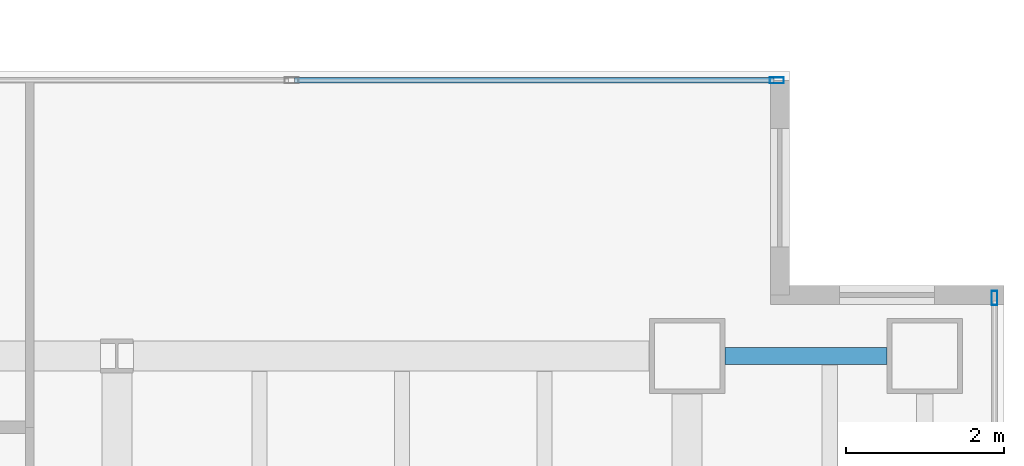
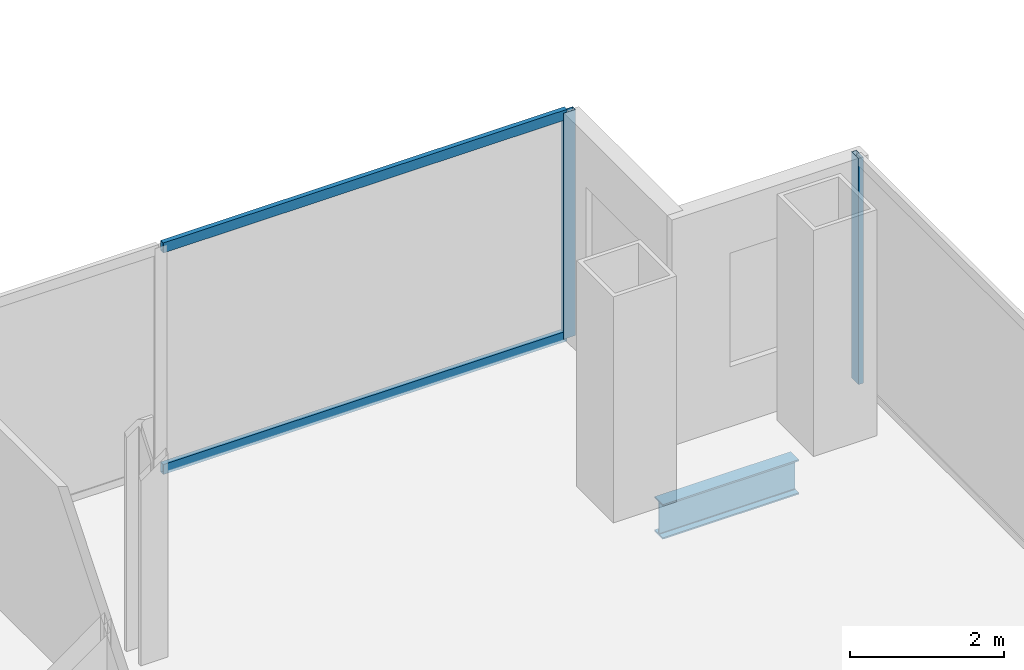
# One storey, part 15 of 23: 4 members, 1 beam, 2 elements without a shape of their own.
"""IFC4 building model written with IfcOpenShell, lengths in metres."""

import ifcopenshell
import ifcopenshell.guid

model = None  # the IFC model being written
_history = None  # IfcOwnerHistory: only IFC2X3 demands one
_inside = {}  # id of a spatial element -> (the spatial element, [elements in it])
_under = {}  # id of a project, library or spatial element -> (it, [spatial elements below it])
_declared = {}  # id of a project -> (the project, [libraries it declares])
_typed = {}  # id of a type object -> (the type object, [elements of that type])
_made_of = {}  # id of a material, layer set ... -> (it, [elements and type objects made of it])


def new_model(schema):
    """Start an empty IFC model of exactly this schema.

    Asked for "IFC4X3", IfcOpenShell would pick the latest addendum, in which some entities
    have other attributes; the version numbers below select the first issue.
    IFC2X3 requires an IfcOwnerHistory on every rooted entity: one is made here for all.
    """
    global model, _history
    if schema == "IFC4X3":
        model = ifcopenshell.file(schema_version=(4, 3, 0, 0))
    else:
        model = ifcopenshell.file(schema=schema)
    _inside.clear()
    _under.clear()
    _declared.clear()
    _typed.clear()
    _made_of.clear()
    _history = None
    if model.schema == "IFC2X3":
        org = make("IfcOrganization", Name="unknown")
        user = make(
            "IfcPersonAndOrganization",
            ThePerson=make("IfcPerson", FamilyName="unknown"),
            TheOrganization=org,
        )
        app = make(
            "IfcApplication",
            ApplicationDeveloper=org,
            Version="unknown",
            ApplicationFullName="unknown",
            ApplicationIdentifier="unknown",
        )
        _history = make(
            "IfcOwnerHistory",
            OwningUser=user,
            OwningApplication=app,
            ChangeAction="ADDED",
            CreationDate=0,
        )
    return model


def make(cls, **values):
    """One entity of the class cls with the attributes given. An attribute that is None is left unset."""
    return model.create_entity(
        cls, **{name: value for name, value in values.items() if value is not None}
    )


def rooted(cls, **values):
    """An entity with a GlobalId (a new one), such as an element, a storey or a relation."""
    return make(cls, GlobalId=ifcopenshell.guid.new(), OwnerHistory=_history, **values)


def si_unit(unit_type, name, prefix=None):
    """IfcSIUnit, for example si_unit("LENGTHUNIT", "METRE", prefix="MILLI")."""
    return make("IfcSIUnit", UnitType=unit_type, Prefix=prefix, Name=name)


def assignment(units):
    """IfcUnitAssignment: the units of a project."""
    return None if units is None else make("IfcUnitAssignment", Units=units)


def point(xyz):
    """IfcCartesianPoint."""
    return None if xyz is None else make("IfcCartesianPoint", Coordinates=xyz)


def direction(xyz):
    """IfcDirection."""
    return None if xyz is None else make("IfcDirection", DirectionRatios=xyz)


def frame(location, z_axis=None, x_axis=None):
    """IfcAxis2Placement3D, a coordinate frame: its origin and axes. An axis left out is left unset."""
    return make(
        "IfcAxis2Placement3D",
        Location=point(location),
        Axis=direction(z_axis),
        RefDirection=direction(x_axis),
    )


def frame_2d(location, x_axis=None):
    """IfcAxis2Placement2D, a coordinate frame in the plane: its origin and x axis."""
    return make(
        "IfcAxis2Placement2D", Location=point(location), RefDirection=direction(x_axis)
    )


def origin():
    """The frame at (0, 0, 0) with its axes left unset."""
    return frame((0.0, 0.0, 0.0))


def origin_2d():
    """The frame at (0, 0) in the plane with its x axis left unset."""
    return frame_2d((0.0, 0.0))


def place(relative_to, where):
    """IfcLocalPlacement: puts the frame where relative to a parent placement (None: the world)."""
    return make(
        "IfcLocalPlacement", PlacementRelTo=relative_to, RelativePlacement=where
    )


def context(
    kind, dimensions, precision=None, world=None, true_north=None, identifier=None
):
    """IfcGeometricRepresentationContext, for example the 3D "Model" context."""
    return make(
        "IfcGeometricRepresentationContext",
        ContextIdentifier=identifier,
        ContextType=kind,
        CoordinateSpaceDimension=dimensions,
        Precision=precision,
        WorldCoordinateSystem=world,
        TrueNorth=true_north,
    )


def subcontext(parent, identifier, kind, view, scale=None):
    """IfcGeometricRepresentationSubContext, for example "Body" below "Model"."""
    return make(
        "IfcGeometricRepresentationSubContext",
        ContextIdentifier=identifier,
        ContextType=kind,
        ParentContext=parent,
        TargetScale=scale,
        TargetView=view,
    )


def project(units=None, contexts=None):
    """IfcProject with its units and contexts."""
    return rooted(
        "IfcProject",
        Name="project",
        RepresentationContexts=contexts,
        UnitsInContext=assignment(units),
    )


def spatial(cls, under=None, at=None, **own):
    """A site, building, storey or space (cls), placed at a placement, below another one or the project."""
    s = rooted(cls, ObjectPlacement=at, **own)
    if under is not None:
        _under.setdefault(under.id(), (under, []))[1].append(s)
    return s


def profile(cls, at=None, kind="AREA", **sizes):
    """A parametric profile (cls). Its sizes go by their IFC names, for example OverallWidth=200.0."""
    return make(cls, ProfileType=kind, Position=at, **sizes)


def hollow_rectangle(**sizes):
    """IfcRectangleHollowProfileDef."""
    return profile("IfcRectangleHollowProfileDef", **sizes)


def i_section(**sizes):
    """IfcIShapeProfileDef."""
    return profile("IfcIShapeProfileDef", **sizes)


def extrude(swept, where, along, depth):
    """IfcExtrudedAreaSolid: the profile swept, set in the frame where, extruded along a direction by depth."""
    return make(
        "IfcExtrudedAreaSolid",
        SweptArea=swept,
        Position=where,
        ExtrudedDirection=direction(along),
        Depth=depth,
    )


def shape(context_of_items, identifier, shape_type, items):
    """IfcShapeRepresentation: the items that make up one representation, for example the "Body"."""
    return make(
        "IfcShapeRepresentation",
        ContextOfItems=context_of_items,
        RepresentationIdentifier=identifier,
        RepresentationType=shape_type,
        Items=items,
    )


def material(Name=None, Category=None):
    """IfcMaterial."""
    return make("IfcMaterial", Name=Name, Category=Category)


def material_profile(
    of_material, cross_section, Name=None, Category=None, Priority=None
):
    """IfcMaterialProfile: a cross section and its material."""
    return make(
        "IfcMaterialProfile",
        Name=Name,
        Material=of_material,
        Profile=cross_section,
        Priority=Priority,
        Category=Category,
    )


def profile_set(profiles, Name=None, composite=None):
    """IfcMaterialProfileSet."""
    return make(
        "IfcMaterialProfileSet",
        Name=Name,
        MaterialProfiles=profiles,
        CompositeProfile=composite,
    )


def made_of(thing, what):
    """Note that an element or type object is made of a material, layer set ...; save() writes the relation."""
    if what is not None:
        _made_of.setdefault(what.id(), (what, []))[1].append(thing)
    return thing


def type_object(cls, material=None, **own):
    """A type object (cls), such as IfcWallType, which elements share."""
    return made_of(rooted(cls, **own), material)


def element(
    cls,
    number,
    at=None,
    inside=None,
    cuts=None,
    type_object=None,
    material=None,
    context=None,
    identifier="Body",
    shape_type=None,
    held_by="IfcProductDefinitionShape",
    body=None,
    shapes=None,
    **own,
):
    """One element of the class cls, such as IfcWall. Its Tag is "e" and its number.

    at: its placement. inside: the storey or other place that contains it. cuts: it is an
    opening in that element (IfcRelVoidsElement). A single representation is given by context,
    identifier, shape_type and body (its items); several are given by shapes. held_by: the class
    of the entity that holds the representations. save() writes the other relations.
    """
    e = rooted(cls, Tag="e%d" % number, ObjectPlacement=at, **own)
    if body is not None:
        shapes = [shape(context, identifier, shape_type, body)]
    if shapes is not None:
        e.Representation = make(held_by, Representations=shapes)
    if inside is not None:
        _inside.setdefault(inside.id(), (inside, []))[1].append(e)
    if cuts is not None:
        rooted(
            "IfcRelVoidsElement", RelatingBuildingElement=cuts, RelatedOpeningElement=e
        )
    if type_object is not None:
        _typed.setdefault(type_object.id(), (type_object, []))[1].append(e)
    return made_of(e, material)


def aggregate(whole, parts):
    """IfcRelAggregates: a whole, such as a stair, and the parts it consists of."""
    return rooted("IfcRelAggregates", RelatingObject=whole, RelatedObjects=parts)


def save(model, path):
    """Write the relations noted so far, then the file.

    IfcRelAggregates (storeys below a building ...), IfcRelContainedInSpatialStructure (elements
    in a storey), IfcRelDefinesByType, IfcRelAssociatesMaterial and IfcRelDeclares: one each for
    every whole, place, type object, material and project.
    """
    for whole, parts in _under.values():
        aggregate(whole, parts)
    for where, things in _inside.values():
        rooted(
            "IfcRelContainedInSpatialStructure",
            RelatedElements=things,
            RelatingStructure=where,
        )
    for kind, things in _typed.values():
        rooted("IfcRelDefinesByType", RelatedObjects=things, RelatingType=kind)
    for what, things in _made_of.values():
        rooted("IfcRelAssociatesMaterial", RelatedObjects=things, RelatingMaterial=what)
    for by, libraries in _declared.values():
        rooted("IfcRelDeclares", RelatingContext=by, RelatedDefinitions=libraries)
    model.write(path)


model = new_model("IFC4")

# Units and contexts
model_context = context("Model", 3, precision=1e-05, world=origin(), true_north=direction((0.0, 1.0)))
body_context = subcontext(model_context, "Body", "Model", "MODEL_VIEW")
ifc_project = project(units=[si_unit("LENGTHUNIT", "METRE"), si_unit("AREAUNIT", "SQUARE_METRE"), si_unit("VOLUMEUNIT", "CUBIC_METRE"), si_unit("PLANEANGLEUNIT", "RADIAN"), si_unit("MASSUNIT", "GRAM", prefix="KILO")], contexts=[model_context])

# Site, building, storey
site_placement = place(None, origin())
site = spatial("IfcSite", under=ifc_project, at=site_placement, CompositionType="ELEMENT")
building_placement = place(site_placement, origin())
building = spatial("IfcBuilding", under=site, at=building_placement, Name="Cobrela Telecom Tower", CompositionType="ELEMENT")
storey_placement = place(building_placement, frame((0.0, 0.0, 113.75)))
storey = spatial("IfcBuildingStorey", under=building, at=storey_placement, Name="L28", CompositionType="ELEMENT", Elevation=113.75)

# Beam
ifc_material_1 = material(Name="Steel ASTM A992 Grade 50", Category="steel")
ifc_material_profile_1 = material_profile(ifc_material_1, i_section(OverallWidth=0.212890625, OverallDepth=0.549072265625, WebThickness=0.0146484375, FlangeThickness=0.023681640625, FilletRadius=0.013916015625, at=origin_2d()), Name="W21X93")
ifc_profile_set_1 = profile_set([ifc_material_profile_1], Name="Steel ASTM A992 Grade 50")
beam_type = type_object("IfcBeamType", Name="BM-SPAND-03", PredefinedType="SPANDREL", material=ifc_profile_set_1)
beam_placement = place(storey_placement, frame((43.679931640625, 21.60009765625, -0.54443359375), z_axis=(1.0, 0.0, 0.0), x_axis=(0.0, 1.0, 0.0)))
element("IfcBeam", 1, at=beam_placement, inside=storey, type_object=beam_type, Name="L28 Perimeter Spandrel X22", PredefinedType="SPANDREL", context=body_context, shape_type="SweptSolid", body=[
    extrude(i_section(OverallWidth=0.212890625, OverallDepth=0.549072265625, WebThickness=0.0146484375, FlangeThickness=0.023681640625, FilletRadius=0.013916015625, at=origin_2d()), origin(), (0.0, 0.0, 1.0), 2.0400390625),
])

# Curtain wall, member
ifc_material_2 = material(Name="Anodized Bronze Aluminium 6063-T6", Category="aluminium")
curtain_wall_type = type_object("IfcCurtainWallType", Name="CW-SYS-TEL", PredefinedType="USERDEFINED", material=ifc_material_2)
curtain_wall_1_placement = place(storey_placement, origin())
curtain_wall_1 = element("IfcCurtainWall", 2, at=curtain_wall_1_placement, inside=storey, type_object=curtain_wall_type, Name="L28 Unitised Bronze Curtain Wall 11", ObjectType="UNITISED CURTAIN WALL", PredefinedType="USERDEFINED")
ifc_material_profile_2 = material_profile(ifc_material_2, hollow_rectangle(XDim=0.074951171875, YDim=0.179931640625, WallThickness=0.00390625, at=origin_2d()), Name="ALU 75x180x4")
ifc_profile_set_2 = profile_set([ifc_material_profile_2], Name="Anodized Bronze Aluminium 6063-T6")
member_type_1 = type_object("IfcMemberType", Name="CW-SYS-TEL-MUL", PredefinedType="MULLION", material=ifc_profile_set_2)
member_1_placement = place(storey_placement, frame((44.33251953125, 25.080078125, 0.0), z_axis=(0.0, 0.0, 1.0), x_axis=(0.0, 1.0, 0.0)))
member_1 = element("IfcMember", 3, at=member_1_placement, type_object=member_type_1, Name="CW-TEL mullion 4", PredefinedType="MULLION", context=body_context, shape_type="SweptSolid", body=[
    extrude(hollow_rectangle(XDim=0.074951171875, YDim=0.179931640625, WallThickness=0.00390625, at=origin_2d()), origin(), (0.0, 0.0, 1.0), 3.580078125),
])

curtain_wall_2_placement = place(storey_placement, origin())
curtain_wall_2 = element("IfcCurtainWall", 4, at=curtain_wall_2_placement, inside=storey, type_object=curtain_wall_type, Name="L28 Unitised Bronze Curtain Wall 14", ObjectType="UNITISED CURTAIN WALL", PredefinedType="USERDEFINED")
member_2_placement = place(storey_placement, frame((47.080078125, 22.33251953125, 0.0), z_axis=(0.0, 0.0, 1.0), x_axis=(1.0, 0.0, 0.0)))
member_2 = element("IfcMember", 5, at=member_2_placement, type_object=member_type_1, Name="CW-TEL mullion 1", PredefinedType="MULLION", context=body_context, shape_type="SweptSolid", body=[
    extrude(hollow_rectangle(XDim=0.074951171875, YDim=0.179931640625, WallThickness=0.00390625, at=origin_2d()), origin(), (0.0, 0.0, 1.0), 3.580078125),
])
aggregate(curtain_wall_2, [member_2])

# Member
ifc_material_profile_3 = material_profile(ifc_material_2, hollow_rectangle(XDim=0.070068359375, YDim=0.159912109375, WallThickness=0.00390625, at=origin_2d()), Name="ALU 70x160x4")
ifc_profile_set_3 = profile_set([ifc_material_profile_3], Name="Anodized Bronze Aluminium 6063-T6")
member_type_2 = type_object("IfcMemberType", Name="CW-SYS-TEL-TRN", PredefinedType="USERDEFINED", material=ifc_profile_set_3)
member_3_placement = place(storey_placement, frame((38.244140625, 25.080078125, 0.034912109375), z_axis=(1.0, 0.0, 0.0), x_axis=(0.0, 1.0, 0.0)))
member_3 = element("IfcMember", 6, at=member_3_placement, type_object=member_type_2, Name="CW-TEL transom 3.1", ObjectType="TRANSOM", PredefinedType="USERDEFINED", context=body_context, shape_type="SweptSolid", body=[
    extrude(hollow_rectangle(XDim=0.070068359375, YDim=0.159912109375, WallThickness=0.00390625, at=origin_2d()), origin(), (0.0, 0.0, 1.0), 6.05078125),
])

member_4_placement = place(storey_placement, frame((38.244140625, 25.080078125, 3.544921875), z_axis=(1.0, 0.0, 0.0), x_axis=(0.0, 1.0, 0.0)))
member_4 = element("IfcMember", 7, at=member_4_placement, type_object=member_type_2, Name="CW-TEL transom 3.2", ObjectType="TRANSOM", PredefinedType="USERDEFINED", context=body_context, shape_type="SweptSolid", body=[
    extrude(hollow_rectangle(XDim=0.070068359375, YDim=0.159912109375, WallThickness=0.00390625, at=origin_2d()), origin(), (0.0, 0.0, 1.0), 6.05078125),
])

aggregate(curtain_wall_1, [member_1, member_3, member_4])

save(model, "model.ifc")
